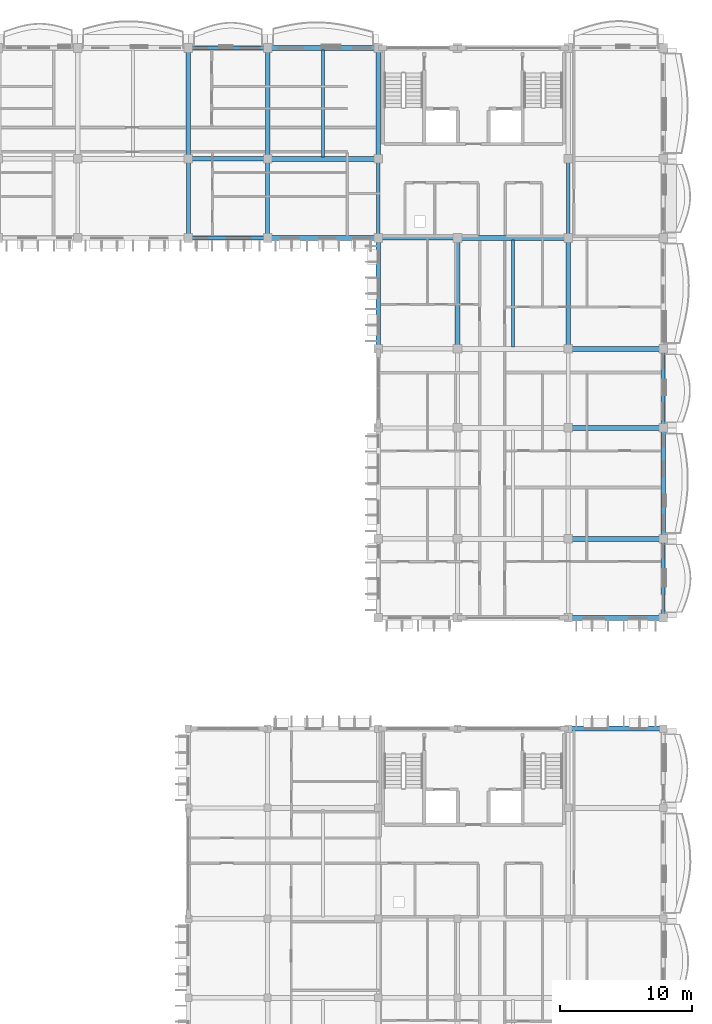
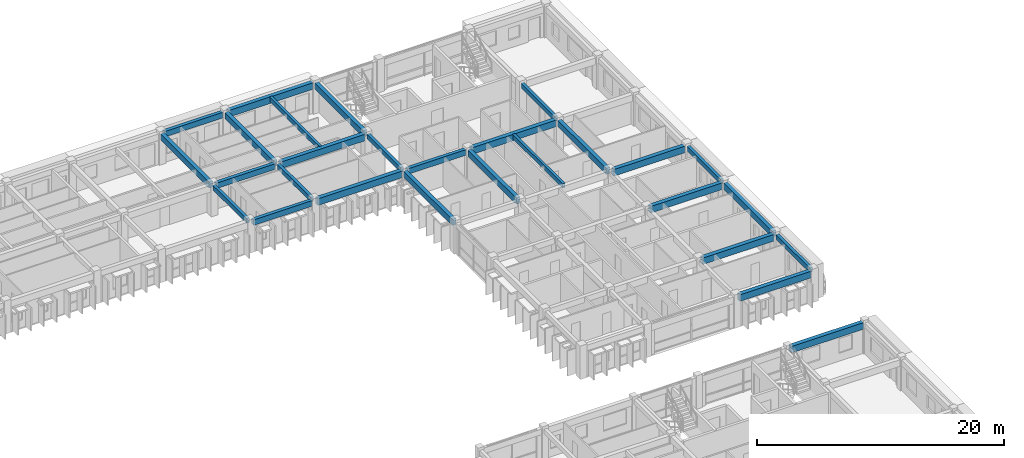
# One storey, part 19 of 79: 28 beams.
"""IFC4 building model written with IfcOpenShell, lengths in metres."""

from ifc_helpers import new_model, si_unit, direction, frame, origin, origin_2d, place, context, subcontext, project, spatial, rectangle, extrude, material, material_profile, profile_set, type_object, element, save


model = new_model("IFC4")

# Units and contexts
model_context = context("Model", 3, precision=1e-05, world=origin(), true_north=direction((0.0, 1.0)))
body_context = subcontext(model_context, "Body", "Model", "MODEL_VIEW")
ifc_project = project(units=[si_unit("LENGTHUNIT", "METRE"), si_unit("AREAUNIT", "SQUARE_METRE"), si_unit("VOLUMEUNIT", "CUBIC_METRE"), si_unit("PLANEANGLEUNIT", "RADIAN"), si_unit("MASSUNIT", "GRAM", prefix="KILO"), si_unit("THERMODYNAMICTEMPERATUREUNIT", "KELVIN")], contexts=[model_context])

# Site, building, storey
site_placement = place(None, origin())
site = spatial("IfcSite", under=ifc_project, at=site_placement, CompositionType="ELEMENT")
building_placement = place(site_placement, origin())
building = spatial("IfcBuilding", under=site, at=building_placement, Name="Thalorik Housing Commons", CompositionType="ELEMENT")
storey_placement = place(building_placement, frame((0.0, 0.0, 11.39990234375)))
storey = spatial("IfcBuildingStorey", under=building, at=storey_placement, Name="L03", CompositionType="ELEMENT", Elevation=11.39990234375)

# Beams
ifc_material = material(Name="Precast concrete C40/50", Category="concrete")
ifc_material_profile_1 = material_profile(ifc_material, rectangle(XDim=0.280029296875, YDim=0.449951171875, at=origin_2d()), Name="PC 280x450", Category="concrete")
ifc_profile_set_1 = profile_set([ifc_material_profile_1], Name="Precast concrete C40/50")
beam_type_1 = type_object("IfcBeamType", Name="STR-BM-PC280x450", PredefinedType="BEAM", material=ifc_profile_set_1)
for number, where, z_axis, x_axis, name in (
    (1, (138.0, 109.47509765625, 2.815185546875), (0.0, 1.0, 0.0), (-1.0, 0.0, 0.0), "L03 Beam B-450"),
    (2, (144.0, 109.47509765625, 2.815185546875), (0.0, 1.0, 0.0), (-1.0, 0.0, 0.0), "L03 Beam B-450"),
    (3, (152.39990234375, 109.47509765625, 2.815185546875), (0.0, 1.0, 0.0), (-1.0, 0.0, 0.0), "L03 Beam B-450"),
    (4, (166.800048828125, 109.47509765625, 2.815185546875), (0.0, 1.0, 0.0), (-1.0, 0.0, 0.0), "L03 Beam B-450"),
    (5, (174.0, 80.675048828125, 2.815185546875), (0.0, 1.0, 0.0), (-1.0, 0.0, 0.0), "L03 Beam B-450"),
    (6, (174.0, 95.074951171875, 2.815185546875), (0.0, 1.0, 0.0), (-1.0, 0.0, 0.0), "L03 Beam B-450"),
):
    element("IfcBeam", number, at=place(storey_placement, frame(where, z_axis=z_axis, x_axis=x_axis)), inside=storey, type_object=beam_type_1, Name=name, PredefinedType="BEAM", context=body_context, shape_type="SweptSolid", body=[
        extrude(rectangle(XDim=0.280029296875, YDim=0.449951171875, at=origin_2d()), origin(), (0.0, 0.0, 1.0), 5.449951171875),
    ])
ifc_material_profile_2 = material_profile(ifc_material, rectangle(XDim=0.320068359375, YDim=0.550048828125, at=origin_2d()), Name="PC 320x550", Category="concrete")
ifc_profile_set_2 = profile_set([ifc_material_profile_2], Name="Precast concrete C40/50")
beam_type_2 = type_object("IfcBeamType", Name="STR-BM-PC320x550", PredefinedType="BEAM", material=ifc_profile_set_2)
beam_1_placement = place(storey_placement, frame((138.27490234375, 109.199951171875, 2.76513671875), z_axis=(1.0, 0.0, 0.0), x_axis=(0.0, 1.0, 0.0)))
element("IfcBeam", 7, at=beam_1_placement, inside=storey, type_object=beam_type_2, Name="L03 Beam B-550", PredefinedType="BEAM", context=body_context, shape_type="SweptSolid", body=[
    extrude(rectangle(XDim=0.320068359375, YDim=0.550048828125, at=origin_2d()), origin(), (0.0, 0.0, 1.0), 5.4501953125),
])
beam_2_placement = place(storey_placement, frame((152.675048828125, 109.199951171875, 2.76513671875), z_axis=(1.0, 0.0, 0.0), x_axis=(0.0, 1.0, 0.0)))
element("IfcBeam", 8, at=beam_2_placement, inside=storey, type_object=beam_type_2, Name="L03 Beam B-550", PredefinedType="BEAM", context=body_context, shape_type="SweptSolid", body=[
    extrude(rectangle(XDim=0.320068359375, YDim=0.550048828125, at=origin_2d()), origin(), (0.0, 0.0, 1.0), 5.449951171875),
])
for number, where, z_axis, x_axis, name in (
    (9, (138.27490234375, 115.199951171875, 2.76513671875), (1.0, 0.0, 0.0), (0.0, 1.0, 0.0), "L03 Beam B-550"),
    (10, (138.27490234375, 123.60009765625, 2.76513671875), (1.0, 0.0, 0.0), (0.0, 1.0, 0.0), "L03 Beam B-550"),
):
    element("IfcBeam", number, at=place(storey_placement, frame(where, z_axis=z_axis, x_axis=x_axis)), inside=storey, type_object=beam_type_2, Name=name, PredefinedType="BEAM", context=body_context, shape_type="SweptSolid", body=[
        extrude(rectangle(XDim=0.320068359375, YDim=0.550048828125, at=origin_2d()), origin(), (0.0, 0.0, 1.0), 5.4501953125),
    ])
ifc_material_profile_3 = material_profile(ifc_material, rectangle(XDim=0.35009765625, YDim=0.60009765625, at=origin_2d()), Name="PC 350x600", Category="concrete")
ifc_profile_set_3 = profile_set([ifc_material_profile_3], Name="Precast concrete C40/50")
beam_type_3 = type_object("IfcBeamType", Name="STR-BM-PC350x600", PredefinedType="BEAM", material=ifc_profile_set_3)
for number, where, z_axis, x_axis, name in (
    (11, (138.0, 115.47509765625, 2.739990234375), (0.0, 1.0, 0.0), (-1.0, 0.0, 0.0), "L03 Beam B-600"),
    (12, (144.0, 115.47509765625, 2.739990234375), (0.0, 1.0, 0.0), (-1.0, 0.0, 0.0), "L03 Beam B-600"),
):
    element("IfcBeam", number, at=place(storey_placement, frame(where, z_axis=z_axis, x_axis=x_axis)), inside=storey, type_object=beam_type_3, Name=name, PredefinedType="BEAM", context=body_context, shape_type="SweptSolid", body=[
        extrude(rectangle(XDim=0.35009765625, YDim=0.60009765625, at=origin_2d()), origin(), (0.0, 0.0, 1.0), 7.849853515625),
    ])
beam_3_placement = place(storey_placement, frame((152.39990234375, 101.074951171875, 2.739990234375), z_axis=(0.0, 1.0, 0.0), x_axis=(-1.0, 0.0, 0.0)))
element("IfcBeam", 13, at=beam_3_placement, inside=storey, type_object=beam_type_3, Name="L03 Beam B-600", PredefinedType="BEAM", context=body_context, shape_type="SweptSolid", body=[
    extrude(rectangle(XDim=0.35009765625, YDim=0.60009765625, at=origin_2d()), origin(), (0.0, 0.0, 1.0), 7.85009765625),
])
beam_4_placement = place(storey_placement, frame((152.39990234375, 115.47509765625, 2.739990234375), z_axis=(0.0, 1.0, 0.0), x_axis=(-1.0, 0.0, 0.0)))
element("IfcBeam", 14, at=beam_4_placement, inside=storey, type_object=beam_type_3, Name="L03 Beam B-600", PredefinedType="BEAM", context=body_context, shape_type="SweptSolid", body=[
    extrude(rectangle(XDim=0.35009765625, YDim=0.60009765625, at=origin_2d()), origin(), (0.0, 0.0, 1.0), 7.849853515625),
])
for number, where, z_axis, x_axis, name in (
    (15, (158.39990234375, 101.074951171875, 2.739990234375), (0.0, 1.0, 0.0), (-1.0, 0.0, 0.0), "L03 Beam B-600"),
    (16, (166.800048828125, 101.074951171875, 2.739990234375), (0.0, 1.0, 0.0), (-1.0, 0.0, 0.0), "L03 Beam B-600"),
):
    element("IfcBeam", number, at=place(storey_placement, frame(where, z_axis=z_axis, x_axis=x_axis)), inside=storey, type_object=beam_type_3, Name=name, PredefinedType="BEAM", context=body_context, shape_type="SweptSolid", body=[
        extrude(rectangle(XDim=0.35009765625, YDim=0.60009765625, at=origin_2d()), origin(), (0.0, 0.0, 1.0), 7.85009765625),
    ])
beam_5_placement = place(storey_placement, frame((174.0, 86.675048828125, 2.739990234375), z_axis=(0.0, 1.0, 0.0), x_axis=(-1.0, 0.0, 0.0)))
element("IfcBeam", 17, at=beam_5_placement, inside=storey, type_object=beam_type_3, Name="L03 Beam B-600", PredefinedType="BEAM", context=body_context, shape_type="SweptSolid", body=[
    extrude(rectangle(XDim=0.35009765625, YDim=0.60009765625, at=origin_2d()), origin(), (0.0, 0.0, 1.0), 7.849853515625),
])
ifc_material_profile_4 = material_profile(ifc_material, rectangle(XDim=0.3798828125, YDim=0.64990234375, at=origin_2d()), Name="PC 380x650", Category="concrete")
ifc_profile_set_4 = profile_set([ifc_material_profile_4], Name="Precast concrete C40/50")
beam_type_4 = type_object("IfcBeamType", Name="STR-BM-PC380x650", PredefinedType="BEAM", material=ifc_profile_set_4)
beam_6_placement = place(storey_placement, frame((167.02490234375, 72.0, 2.715087890625), z_axis=(1.0, 0.0, 0.0), x_axis=(0.0, 1.0, 0.0)))
element("IfcBeam", 18, at=beam_6_placement, inside=storey, type_object=beam_type_4, Name="L03 Beam B-650", PredefinedType="BEAM", context=body_context, shape_type="SweptSolid", body=[
    extrude(rectangle(XDim=0.3798828125, YDim=0.64990234375, at=origin_2d()), origin(), (0.0, 0.0, 1.0), 6.75),
])
for number, where, z_axis, x_axis, name in (
    (19, (167.074951171875, 80.39990234375, 2.715087890625), (1.0, 0.0, 0.0), (0.0, 1.0, 0.0), "L03 Beam B-650"),
    (20, (167.074951171875, 86.39990234375, 2.715087890625), (1.0, 0.0, 0.0), (0.0, 1.0, 0.0), "L03 Beam B-650"),
    (21, (167.074951171875, 94.800048828125, 2.715087890625), (1.0, 0.0, 0.0), (0.0, 1.0, 0.0), "L03 Beam B-650"),
    (22, (167.074951171875, 100.800048828125, 2.715087890625), (1.0, 0.0, 0.0), (0.0, 1.0, 0.0), "L03 Beam B-650"),
):
    element("IfcBeam", number, at=place(storey_placement, frame(where, z_axis=z_axis, x_axis=x_axis)), inside=storey, type_object=beam_type_4, Name=name, PredefinedType="BEAM", context=body_context, shape_type="SweptSolid", body=[
        extrude(rectangle(XDim=0.3798828125, YDim=0.64990234375, at=origin_2d()), origin(), (0.0, 0.0, 1.0), 6.650146484375),
    ])
beam_7_placement = place(storey_placement, frame((144.27490234375, 109.199951171875, 2.715087890625), z_axis=(1.0, 0.0, 0.0), x_axis=(0.0, 1.0, 0.0)))
element("IfcBeam", 23, at=beam_7_placement, inside=storey, type_object=beam_type_4, Name="L03 Beam B-650", PredefinedType="BEAM", context=body_context, shape_type="SweptSolid", body=[
    extrude(rectangle(XDim=0.3798828125, YDim=0.64990234375, at=origin_2d()), origin(), (0.0, 0.0, 1.0), 7.85009765625),
])
beam_8_placement = place(storey_placement, frame((158.675048828125, 109.199951171875, 2.715087890625), z_axis=(1.0, 0.0, 0.0), x_axis=(0.0, 1.0, 0.0)))
element("IfcBeam", 24, at=beam_8_placement, inside=storey, type_object=beam_type_4, Name="L03 Beam B-650", PredefinedType="BEAM", context=body_context, shape_type="SweptSolid", body=[
    extrude(rectangle(XDim=0.3798828125, YDim=0.64990234375, at=origin_2d()), origin(), (0.0, 0.0, 1.0), 7.849853515625),
])
for number, where, z_axis, x_axis, name in (
    (25, (144.27490234375, 115.199951171875, 2.715087890625), (1.0, 0.0, 0.0), (0.0, 1.0, 0.0), "L03 Beam B-650"),
    (26, (144.27490234375, 123.60009765625, 2.715087890625), (1.0, 0.0, 0.0), (0.0, 1.0, 0.0), "L03 Beam B-650"),
):
    element("IfcBeam", number, at=place(storey_placement, frame(where, z_axis=z_axis, x_axis=x_axis)), inside=storey, type_object=beam_type_4, Name=name, PredefinedType="BEAM", context=body_context, shape_type="SweptSolid", body=[
        extrude(rectangle(XDim=0.3798828125, YDim=0.64990234375, at=origin_2d()), origin(), (0.0, 0.0, 1.0), 7.85009765625),
    ])
ifc_material_profile_5 = material_profile(ifc_material, rectangle(XDim=0.239990234375, YDim=0.43994140625, at=origin_2d()), Name="PC JST 240x440", Category="concrete")
ifc_profile_set_5 = profile_set([ifc_material_profile_5], Name="Precast concrete C40/50")
beam_type_5 = type_object("IfcBeamType", Name="STR-JST-PC240x440", PredefinedType="JOIST", material=ifc_profile_set_5)
beam_9_placement = place(storey_placement, frame((162.60009765625, 100.93994140625, 2.820068359375), z_axis=(0.0, 1.0, 0.0), x_axis=(-1.0, 0.0, 0.0)))
element("IfcBeam", 27, at=beam_9_placement, inside=storey, type_object=beam_type_5, Name="L03 Beam J-440", PredefinedType="JOIST", context=body_context, shape_type="SweptSolid", body=[
    extrude(rectangle(XDim=0.239990234375, YDim=0.43994140625, at=origin_2d()), origin(), (0.0, 0.0, 1.0), 8.1201171875),
])
beam_10_placement = place(storey_placement, frame((148.199951171875, 115.340087890625, 2.820068359375), z_axis=(0.0, 1.0, 0.0), x_axis=(-1.0, 0.0, 0.0)))
element("IfcBeam", 28, at=beam_10_placement, inside=storey, type_object=beam_type_5, Name="L03 Beam J-440", PredefinedType="JOIST", context=body_context, shape_type="SweptSolid", body=[
    extrude(rectangle(XDim=0.239990234375, YDim=0.43994140625, at=origin_2d()), origin(), (0.0, 0.0, 1.0), 8.119873046875),
])

save(model, "model.ifc")
